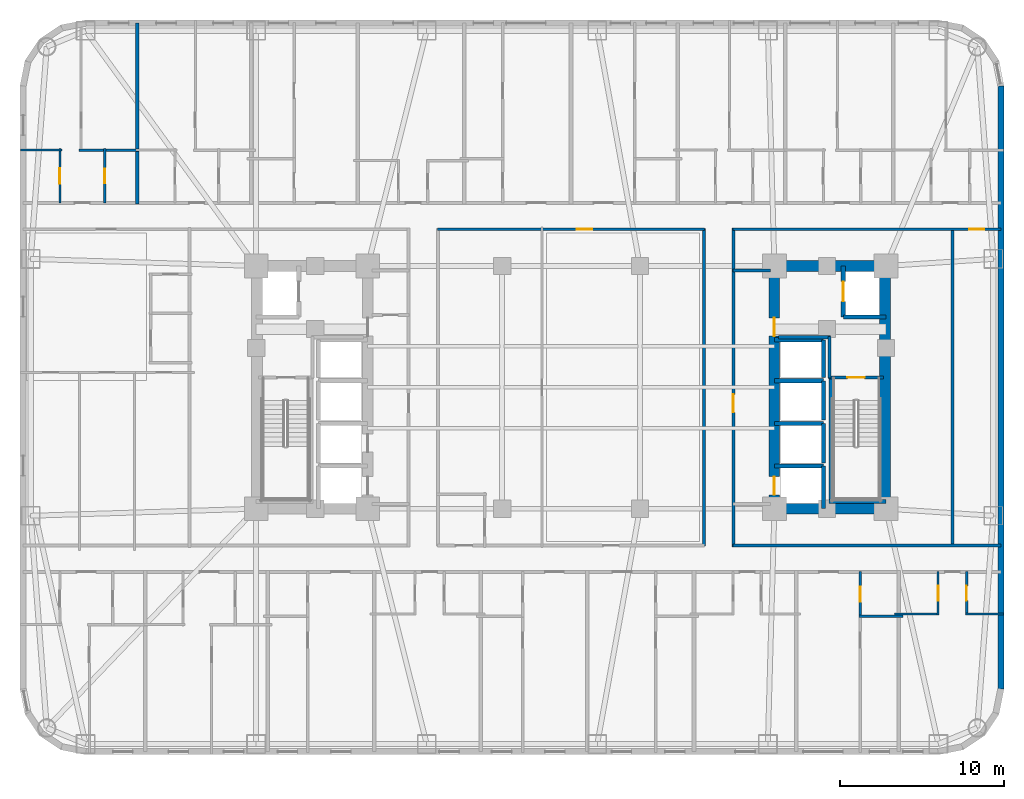
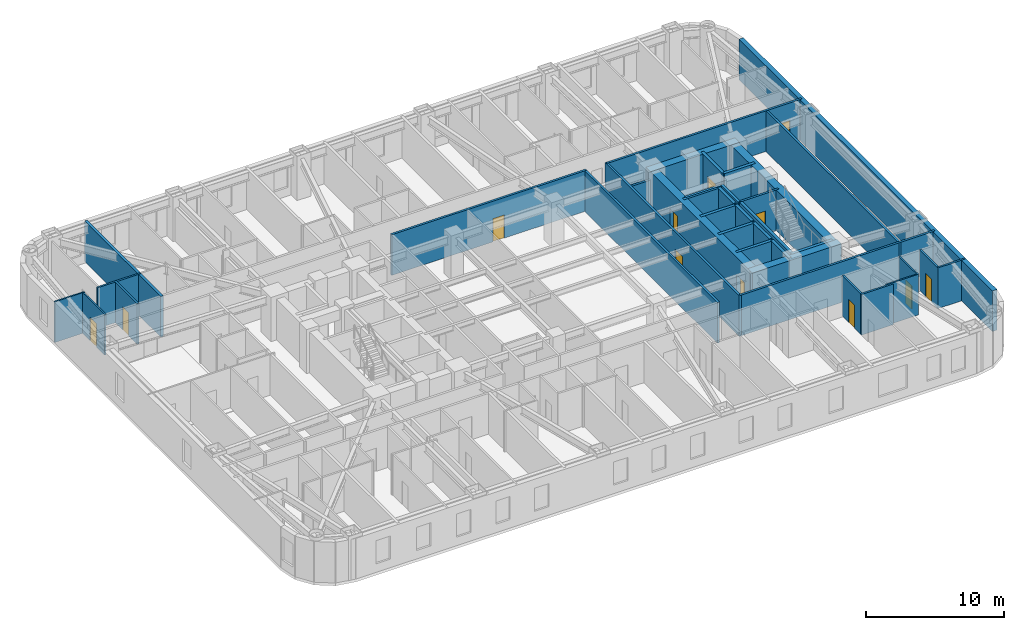
# One storey, part 6 of 11: 38 walls, 12 doors, 12 openings.
"""IFC4 building model written with IfcOpenShell, lengths in metres."""

from ifc_helpers import new_model, si_unit, direction, frame, frame_2d, origin, place, context, subcontext, project, spatial, rectangle, extrude, material, layer, layer_set, type_object, element, fill, save


model = new_model("IFC4")

# Units and contexts
model_context = context("Model", 3, precision=1e-05, world=origin(), true_north=direction((0.0, 1.0)))
body_context = subcontext(model_context, "Body", "Model", "MODEL_VIEW")
ifc_project = project(units=[si_unit("LENGTHUNIT", "METRE"), si_unit("AREAUNIT", "SQUARE_METRE"), si_unit("VOLUMEUNIT", "CUBIC_METRE"), si_unit("PLANEANGLEUNIT", "RADIAN"), si_unit("MASSUNIT", "GRAM", prefix="KILO")], contexts=[model_context])

# Site, building, storey
site_placement = place(None, origin())
site = spatial("IfcSite", under=ifc_project, at=site_placement, CompositionType="ELEMENT")
building_placement = place(site_placement, origin())
building = spatial("IfcBuilding", under=site, at=building_placement, Name="Voryun Gate Residences", CompositionType="ELEMENT")
storey_placement = place(building_placement, frame((0.0, 0.0, 76.699951171875)))
storey = spatial("IfcBuildingStorey", under=building, at=storey_placement, Name="L18", CompositionType="ELEMENT", Elevation=76.699951171875)

# Walls
ifc_material_1 = material(Name="Concrete C60/75", Category="concrete")
ifc_layer_1 = layer(ifc_material_1, 0.64990234375, Name="CW_CORE_650")
ifc_layer_set_1 = layer_set([ifc_layer_1], Name="Concrete C60/75")
wall_type_1 = type_object("IfcWallType", Name="CW_CORE_650", PredefinedType="SHEAR", material=ifc_layer_set_1)
for number, where, z_axis, x_axis, name in (
    (1, (12.074951171875, -7.39990234375, 0.0), (0.0, 0.0, 1.0), (1.0, 0.0, 0.0), "L18 Core shear wall CW-L18-ES"),
    (2, (12.074951171875, 7.39990234375, 0.0), (0.0, 0.0, 1.0), (1.0, 0.0, 0.0), "L18 Core shear wall CW-L18-EN"),
):
    element("IfcWall", number, at=place(storey_placement, frame(where, z_axis=z_axis, x_axis=x_axis)), inside=storey, type_object=wall_type_1, Name=name, PredefinedType="SHEAR", context=body_context, shape_type="SweptSolid", body=[
        extrude(rectangle(XDim=7.449951171875, YDim=0.64990234375, at=frame_2d((3.72509765625, 0.0))), origin(), (0.0, 0.0, 1.0), 3.60009765625),
    ])

# Wall, openings, doors
wall_1_placement = place(storey_placement, frame((12.39990234375, -7.39990234375, 0.0), z_axis=(0.0, 0.0, 1.0), x_axis=(0.0, 1.0, 0.0)))
wall_1 = element("IfcWall", 3, at=wall_1_placement, inside=storey, type_object=wall_type_1, Name="L18 Core shear wall CW-L18-EW", PredefinedType="SHEAR", context=body_context, shape_type="SweptSolid", body=[
    extrude(rectangle(XDim=14.7998046875, YDim=0.64990234375, at=frame_2d((7.39990234375, 0.0))), origin(), (0.0, 0.0, 1.0), 3.60009765625),
])
opening_1_placement = place(wall_1_placement, frame((0.85009765625, 0.0, 0.0)))
opening_1 = element("IfcOpeningElement", 4, at=opening_1_placement, cuts=wall_1, Name="Opening LD2", PredefinedType="OPENING", context=body_context, shape_type="SweptSolid", body=[
    extrude(rectangle(XDim=1.10009765625, YDim=2.050048828125, at=frame_2d((0.550048828125, 1.02490234375))), frame((0.0, 0.3349609375, 0.0), z_axis=(0.0, -1.0, 0.0), x_axis=(1.0, 0.0, 0.0)), (0.0, 0.0, 1.0), 0.669921875),
])
opening_2_placement = place(wall_1_placement, frame((10.530029296875, 0.0, 0.0)))
opening_2 = element("IfcOpeningElement", 5, at=opening_2_placement, cuts=wall_1, Name="Opening D-FD60-2", PredefinedType="OPENING", context=body_context, shape_type="SweptSolid", body=[
    extrude(rectangle(XDim=1.10009765625, YDim=2.050048828125, at=frame_2d((0.550048828125, 1.02490234375))), frame((0.0, 0.3349609375, 0.0), z_axis=(0.0, -1.0, 0.0), x_axis=(1.0, 0.0, 0.0)), (0.0, 0.0, 1.0), 0.669921875),
])
ifc_material_2 = material(Name="Painted steel fire door", Category="steel")
door_type_1 = type_object("IfcDoorType", Name="DR_FD60_FFLOB_1100", OperationType="NOTDEFINED", PredefinedType="DOOR", material=ifc_material_2)
door_1_placement = place(opening_2_placement, origin())
door_1 = element("IfcDoor", 6, at=door_1_placement, inside=storey, type_object=door_type_1, Name="Door DR-L18-CLOB-E", OperationType="SINGLE_SWING_RIGHT", OverallHeight=2.050048828125, OverallWidth=1.10009765625, PredefinedType="DOOR", context=body_context, shape_type="SweptSolid", body=[
    extrude(rectangle(XDim=1.10009765625, YDim=2.050048828125, at=frame_2d((0.550048828125, 1.02490234375))), frame((0.0, 0.02490234375, 0.0), z_axis=(0.0, -1.0, 0.0), x_axis=(1.0, 0.0, 0.0)), (0.0, 0.0, 1.0), 0.050048828125),
])
fill(opening_2, door_1)
ifc_material_3 = material(Name="Anodised aluminium", Category="aluminium")
door_type_2 = type_object("IfcDoorType", Name="DR_LD_PASS_1100", OperationType="NOTDEFINED", PredefinedType="DOOR", material=ifc_material_3)
door_2_placement = place(opening_1_placement, origin())
door_2 = element("IfcDoor", 7, at=door_2_placement, inside=storey, type_object=door_type_2, Name="Lift EL-P3 sliding landing door L18", OperationType="SLIDING_TO_LEFT", OverallHeight=2.050048828125, OverallWidth=1.10009765625, PredefinedType="DOOR", context=body_context, shape_type="SweptSolid", body=[
    extrude(rectangle(XDim=1.10009765625, YDim=2.050048828125, at=frame_2d((0.550048828125, 1.02490234375))), frame((0.0, 0.02490234375, 0.0), z_axis=(0.0, -1.0, 0.0), x_axis=(1.0, 0.0, 0.0)), (0.0, 0.0, 1.0), 0.050048828125),
])
fill(opening_1, door_2)

# Wall
wall_2_placement = place(storey_placement, frame((19.14501953125, -7.39990234375, 0.0), z_axis=(0.0, 0.0, 1.0), x_axis=(0.0, 1.0, 0.0)))
element("IfcWall", 8, at=wall_2_placement, inside=storey, type_object=wall_type_1, Name="L18 Core shear wall CW-L18-EE", PredefinedType="SHEAR", context=body_context, shape_type="SweptSolid", body=[
    extrude(rectangle(XDim=14.7998046875, YDim=0.64990234375, at=frame_2d((7.39990234375, 0.0))), origin(), (0.0, 0.0, 1.0), 3.60009765625),
])

# Wall, opening, door
ifc_material_4 = material(Name="Gypsum acoustic fireboard")
ifc_layer_2 = layer(ifc_material_4, 0.179931640625, Name="W_CORR_RATED_180")
ifc_layer_set_2 = layer_set([ifc_layer_2], Name="Gypsum acoustic fireboard")
wall_type_2 = type_object("IfcWallType", Name="W_CORR_RATED_180", PredefinedType="PARTITIONING", material=ifc_layer_set_2)
wall_3_placement = place(storey_placement, frame((15.699951171875, 0.60009765625, 0.0), z_axis=(0.0, 0.0, 1.0), x_axis=(1.0, 0.0, 0.0)))
wall_3 = element("IfcWall", 9, at=wall_3_placement, inside=storey, type_object=wall_type_2, Name="Partition wall WP-L18-STV-E", PredefinedType="PARTITIONING", context=body_context, shape_type="SweptSolid", body=[
    extrude(rectangle(XDim=3.360107421875, YDim=0.179931640625, at=frame_2d((1.68017578125, 0.0))), origin(), (0.0, 0.0, 1.0), 3.60009765625),
])
opening_3_placement = place(wall_3_placement, frame((1.155029296875, 0.0, 0.0)))
opening_3 = element("IfcOpeningElement", 10, at=opening_3_placement, cuts=wall_3, Name="Opening D-FD60-1", PredefinedType="OPENING", context=body_context, shape_type="SweptSolid", body=[
    extrude(rectangle(XDim=1.050048828125, YDim=2.050048828125, at=frame_2d((0.52490234375, 1.02490234375))), frame((0.0, 0.099853515625, 0.0), z_axis=(0.0, -1.0, 0.0), x_axis=(1.0, 0.0, 0.0)), (0.0, 0.0, 1.0), 0.199951171875),
])
ifc_material_5 = material(Name="Painted steel fire door", Category="steel")
door_type_3 = type_object("IfcDoorType", Name="DR_FD60_STAIR_1050", OperationType="NOTDEFINED", PredefinedType="DOOR", material=ifc_material_5)
door_3_placement = place(opening_3_placement, origin())
door_3 = element("IfcDoor", 11, at=door_3_placement, inside=storey, type_object=door_type_3, Name="Door DR-L18-ST-E", OperationType="SINGLE_SWING_RIGHT", OverallHeight=2.050048828125, OverallWidth=1.050048828125, PredefinedType="DOOR", context=body_context, shape_type="SweptSolid", body=[
    extrude(rectangle(XDim=1.050048828125, YDim=2.050048828125, at=frame_2d((0.52490234375, 1.02490234375))), frame((0.0, 0.02490234375, 0.0), z_axis=(0.0, -1.0, 0.0), x_axis=(1.0, 0.0, 0.0)), (0.0, 0.0, 1.0), 0.050048828125),
])
fill(opening_3, door_3)

# Wall
wall_4_placement = place(storey_placement, frame((9.8798828125, 7.1201171875, 0.0), z_axis=(0.0, 0.0, 1.0), x_axis=(1.0, 0.0, 0.0)))
element("IfcWall", 12, at=wall_4_placement, inside=storey, type_object=wall_type_2, Name="Partition wall WP-L18-PLBN-E", PredefinedType="PARTITIONING", context=body_context, shape_type="SweptSolid", body=[
    extrude(rectangle(XDim=2.27001953125, YDim=0.179931640625, at=frame_2d((1.135009765625, 0.0))), origin(), (0.0, 0.0, 1.0), 2.89013671875),
])

# Wall, opening, door
wall_5_placement = place(storey_placement, frame((9.89990234375, -9.72998046875, 0.0), z_axis=(0.0, 0.0, 1.0), x_axis=(0.0, 1.0, 0.0)))
wall_5 = element("IfcWall", 13, at=wall_5_placement, inside=storey, type_object=wall_type_2, Name="Partition wall WP-L18-PLBE-FULL", PredefinedType="PARTITIONING", context=body_context, shape_type="SweptSolid", body=[
    extrude(rectangle(XDim=19.4599609375, YDim=0.179931640625, at=frame_2d((9.72998046875, 0.0))), origin(), (0.0, 0.0, 1.0), 3.60009765625),
])
opening_4_placement = place(wall_5_placement, frame((8.20703125, 0.0, 0.0)))
opening_4 = element("IfcOpeningElement", 14, at=opening_4_placement, cuts=wall_5, Name="Opening D-FD60-2", PredefinedType="OPENING", context=body_context, shape_type="SweptSolid", body=[
    extrude(rectangle(XDim=1.10009765625, YDim=2.050048828125, at=frame_2d((0.550048828125, 1.02490234375))), frame((0.0, 0.099853515625, 0.0), z_axis=(0.0, -1.0, 0.0), x_axis=(1.0, 0.0, 0.0)), (0.0, 0.0, 1.0), 0.199951171875),
])
door_4_placement = place(opening_4_placement, origin())
door_4 = element("IfcDoor", 15, at=door_4_placement, inside=storey, type_object=door_type_1, Name="Door DR-L18-PLBE-COR", OperationType="SINGLE_SWING_RIGHT", OverallHeight=2.050048828125, OverallWidth=1.10009765625, PredefinedType="DOOR", context=body_context, shape_type="SweptSolid", body=[
    extrude(rectangle(XDim=1.10009765625, YDim=2.050048828125, at=frame_2d((0.550048828125, 1.02490234375))), frame((0.0, 0.02490234375, 0.0), z_axis=(0.0, -1.0, 0.0), x_axis=(1.0, 0.0, 0.0)), (0.0, 0.0, 1.0), 0.050048828125),
])
fill(opening_4, door_4)

wall_6_placement = place(storey_placement, frame((9.8798828125, 9.639892578125, 0.0), z_axis=(0.0, 0.0, 1.0), x_axis=(1.0, 0.0, 0.0)))
wall_6 = element("IfcWall", 16, at=wall_6_placement, inside=storey, type_object=wall_type_2, Name="Partition wall WP-L18-CWING-EN", PredefinedType="PARTITIONING", context=body_context, shape_type="SweptSolid", body=[
    extrude(rectangle(XDim=16.330078125, YDim=0.179931640625, at=frame_2d((8.1650390625, 0.0))), origin(), (0.0, 0.0, 1.0), 3.60009765625),
])
opening_5_placement = place(wall_6_placement, frame((14.415283203125, 0.0, 0.0)))
opening_5 = element("IfcOpeningElement", 17, at=opening_5_placement, cuts=wall_6, Name="Opening D-INT-2", PredefinedType="OPENING", context=body_context, shape_type="SweptSolid", body=[
    extrude(rectangle(XDim=0.89990234375, YDim=2.050048828125, at=frame_2d((0.449951171875, 1.02490234375))), frame((0.0, 0.099853515625, 0.0), z_axis=(0.0, -1.0, 0.0), x_axis=(1.0, 0.0, 0.0)), (0.0, 0.0, 1.0), 0.199951171875),
])
ifc_material_6 = material(Name="Architectural oak veneer")
door_type_4 = type_object("IfcDoorType", Name="DR_INT_BATH_900", OperationType="NOTDEFINED", PredefinedType="DOOR", material=ifc_material_6)
door_5_placement = place(opening_5_placement, origin())
door_5 = element("IfcDoor", 18, at=door_5_placement, inside=storey, type_object=door_type_4, Name="Door DR-L18-EE1N", OperationType="SINGLE_SWING_LEFT", OverallHeight=2.050048828125, OverallWidth=0.89990234375, PredefinedType="DOOR", context=body_context, shape_type="SweptSolid", body=[
    extrude(rectangle(XDim=0.89990234375, YDim=2.050048828125, at=frame_2d((0.449951171875, 1.02490234375))), frame((0.0, 0.02490234375, 0.0), z_axis=(0.0, -1.0, 0.0), x_axis=(1.0, 0.0, 0.0)), (0.0, 0.0, 1.0), 0.050048828125),
])
fill(opening_5, door_5)

# Wall
wall_7_placement = place(storey_placement, frame((9.8798828125, -9.639892578125, 0.0), z_axis=(0.0, 0.0, 1.0), x_axis=(1.0, 0.0, 0.0)))
element("IfcWall", 19, at=wall_7_placement, inside=storey, type_object=wall_type_2, Name="Partition wall WP-L18-CWING-ES", PredefinedType="PARTITIONING", context=body_context, shape_type="SweptSolid", body=[
    extrude(rectangle(XDim=16.330078125, YDim=0.179931640625, at=frame_2d((8.1650390625, 0.0))), origin(), (0.0, 0.0, 1.0), 3.60009765625),
])

# Wall, opening, door
wall_8_placement = place(storey_placement, frame((-8.14990234375, 9.639892578125, 0.0), z_axis=(0.0, 0.0, 1.0), x_axis=(1.0, 0.0, 0.0)))
wall_8 = element("IfcWall", 20, at=wall_8_placement, inside=storey, type_object=wall_type_2, Name="Partition wall WP-L18-Z1N", PredefinedType="PARTITIONING", context=body_context, shape_type="SweptSolid", body=[
    extrude(rectangle(XDim=16.2998046875, YDim=0.179931640625, at=frame_2d((8.14990234375, 0.0))), origin(), (0.0, 0.0, 1.0), 3.60009765625),
])
opening_6_placement = place(wall_8_placement, frame((8.489990234375, 0.0, 0.0)))
opening_6 = element("IfcOpeningElement", 21, at=opening_6_placement, cuts=wall_8, Name="Opening D-INT-1", PredefinedType="OPENING", context=body_context, shape_type="SweptSolid", body=[
    extrude(rectangle(XDim=0.949951171875, YDim=2.050048828125, at=frame_2d((0.47509765625, 1.02490234375))), frame((0.0, 0.099853515625, 0.0), z_axis=(0.0, -1.0, 0.0), x_axis=(1.0, 0.0, 0.0)), (0.0, 0.0, 1.0), 0.199951171875),
])
ifc_material_7 = material(Name="Architectural oak veneer")
door_type_5 = type_object("IfcDoorType", Name="DR_INT_ROOM_950", OperationType="NOTDEFINED", PredefinedType="DOOR", material=ifc_material_7)
door_6_placement = place(opening_6_placement, origin())
door_6 = element("IfcDoor", 22, at=door_6_placement, inside=storey, type_object=door_type_5, Name="Door DR-L18-CMIDZ1N", OperationType="SINGLE_SWING_LEFT", OverallHeight=2.050048828125, OverallWidth=0.949951171875, PredefinedType="DOOR", context=body_context, shape_type="SweptSolid", body=[
    extrude(rectangle(XDim=0.949951171875, YDim=2.050048828125, at=frame_2d((0.47509765625, 1.02490234375))), frame((0.0, 0.02490234375, 0.0), z_axis=(0.0, -1.0, 0.0), x_axis=(1.0, 0.0, 0.0)), (0.0, 0.0, 1.0), 0.050048828125),
])
fill(opening_6, door_6)

# Walls
wall_9_placement = place(storey_placement, frame((8.10009765625, -9.679931640625, 0.0), z_axis=(0.0, 0.0, 1.0), x_axis=(0.0, 1.0, 0.0)))
element("IfcWall", 23, at=wall_9_placement, inside=storey, type_object=wall_type_2, Name="Partition wall WP-L18-Z1E", PredefinedType="PARTITIONING", context=body_context, shape_type="SweptSolid", body=[
    extrude(rectangle(XDim=19.35986328125, YDim=0.179931640625, at=frame_2d((9.679931640625, 0.0))), origin(), (0.0, 0.0, 1.0), 3.60009765625),
])
wall_10_placement = place(storey_placement, frame((23.27001953125, -9.72998046875, 0.0), z_axis=(0.0, 0.0, 1.0), x_axis=(0.0, 1.0, 0.0)))
element("IfcWall", 24, at=wall_10_placement, inside=storey, type_object=wall_type_2, Name="Partition wall WP-L18-EEND", PredefinedType="PARTITIONING", context=body_context, shape_type="SweptSolid", body=[
    extrude(rectangle(XDim=19.4599609375, YDim=0.179931640625, at=frame_2d((9.72998046875, 0.0))), origin(), (0.0, 0.0, 1.0), 3.60009765625),
])
ifc_material_8 = material(Name="Granite masonry", Category="masonry")
ifc_layer_3 = layer(ifc_material_8, 0.3798828125, Name="W_EXT_GRANITE_380")
ifc_layer_set_3 = layer_set([ifc_layer_3], Name="Granite masonry")
wall_type_3 = type_object("IfcWallType", Name="W_EXT_GRANITE_380", PredefinedType="ELEMENTEDWALL", material=ifc_layer_set_3)
wall_11_placement = place(storey_placement, frame((26.2099609375, 18.38134765625, 0.0), z_axis=(0.0, 0.0, 1.0), x_axis=(0.0, -1.0, 0.0)))
element("IfcWall", 25, at=wall_11_placement, inside=storey, type_object=wall_type_3, Name="Exterior wall WEXT-L18-16", PredefinedType="ELEMENTEDWALL", context=body_context, shape_type="SweptSolid", body=[
    extrude(rectangle(XDim=36.7626953125, YDim=0.3798828125, at=frame_2d((18.38134765625, 0.0))), origin(), (0.0, 0.0, 1.0), 3.60009765625),
])
ifc_material_9 = material(Name="Concrete C40/50", Category="concrete")
ifc_layer_4 = layer(ifc_material_9, 0.199951171875, Name="W_FF_LOBBY_200")
ifc_layer_set_4 = layer_set([ifc_layer_4], Name="Concrete C40/50")
wall_type_4 = type_object("IfcWallType", Name="W_FF_LOBBY_200", PredefinedType="PARTITIONING", material=ifc_layer_set_4)
wall_12_placement = place(storey_placement, frame((15.760009765625, 0.580078125, 0.0), z_axis=(0.0, 0.0, 1.0), x_axis=(0.0, 1.0, 0.0)))
element("IfcWall", 26, at=wall_12_placement, inside=storey, type_object=wall_type_4, Name="Partition wall WP-L18-FFP0-E", PredefinedType="PARTITIONING", context=body_context, shape_type="SweptSolid", body=[
    extrude(rectangle(XDim=2.52001953125, YDim=0.199951171875, at=frame_2d((1.260009765625, 0.0))), origin(), (0.0, 0.0, 1.0), 3.60009765625),
])
wall_13_placement = place(storey_placement, frame((12.659912109375, 3.06005859375, 0.0), z_axis=(0.0, 0.0, 1.0), x_axis=(1.0, 0.0, 0.0)))
element("IfcWall", 27, at=wall_13_placement, inside=storey, type_object=wall_type_4, Name="Partition wall WP-L18-FFPS-E", PredefinedType="PARTITIONING", context=body_context, shape_type="SweptSolid", body=[
    extrude(rectangle(XDim=3.16015625, YDim=0.199951171875, at=frame_2d((1.580078125, 0.0))), origin(), (0.0, 0.0, 1.0), 3.60009765625),
])
ifc_material_10 = material(Name="Concrete C40/50", Category="concrete")
ifc_layer_5 = layer(ifc_material_10, 0.219970703125, Name="W_PARTY_ACOUSTIC_220")
ifc_layer_set_5 = layer_set([ifc_layer_5], Name="Concrete C40/50")
wall_type_5 = type_object("IfcWallType", Name="W_PARTY_ACOUSTIC_220", PredefinedType="PARTITIONING", material=ifc_layer_set_5)
wall_14_placement = place(storey_placement, frame((-26.458984375, 11.169921875, 0.0), z_axis=(0.0, 0.0, 1.0), x_axis=(0.0, 1.0, 0.0)))
element("IfcWall", 28, at=wall_14_placement, inside=storey, type_object=wall_type_5, Name="Partition wall WP-L18-NPTY-1", PredefinedType="PARTITIONING", context=body_context, shape_type="SweptSolid", body=[
    extrude(rectangle(XDim=11.0400390625, YDim=0.219970703125, at=frame_2d((5.52001953125, 0.0))), origin(), (0.0, 0.0, 1.0), 3.60009765625),
])
ifc_material_11 = material(Name="Concrete C50/60", Category="concrete")
ifc_layer_6 = layer(ifc_material_11, 0.25, Name="W_SHAFT_RC250")
ifc_layer_set_6 = layer_set([ifc_layer_6], Name="Concrete C50/60")
wall_type_6 = type_object("IfcWallType", Name="W_SHAFT_RC250", PredefinedType="SOLIDWALL", material=ifc_layer_set_6)
wall_15_placement = place(storey_placement, frame((15.860107421875, -7.0849609375, 0.0), z_axis=(0.0, 0.0, 1.0), x_axis=(0.0, 1.0, 0.0)))
element("IfcWall", 29, at=wall_15_placement, inside=storey, type_object=wall_type_6, Name="L18 Stair shaft structural wall E-STL", PredefinedType="SOLIDWALL", context=body_context, shape_type="SweptSolid", body=[
    extrude(rectangle(XDim=7.68505859375, YDim=0.25, at=frame_2d((3.842529296875, 0.0))), origin(), (0.0, 0.0, 1.0), 3.60009765625),
])
wall_16_placement = place(storey_placement, frame((15.739990234375, -6.965087890625, 0.0), z_axis=(0.0, 0.0, 1.0), x_axis=(1.0, 0.0, 0.0)))
element("IfcWall", 30, at=wall_16_placement, inside=storey, type_object=wall_type_6, Name="L18 Stair shaft structural wall E-STS", PredefinedType="SOLIDWALL", context=body_context, shape_type="SweptSolid", body=[
    extrude(rectangle(XDim=3.4599609375, YDim=0.25, at=frame_2d((1.72998046875, 0.0))), origin(), (0.0, 0.0, 1.0), 3.60009765625),
])
wall_17_placement = place(storey_placement, frame((16.60009765625, 4.300048828125, 0.0), z_axis=(0.0, 0.0, 1.0), x_axis=(1.0, 0.0, 0.0)))
element("IfcWall", 31, at=wall_17_placement, inside=storey, type_object=wall_type_6, Name="Lift shaft wall WSH-L18-EL-FF-E1-S", PredefinedType="SOLIDWALL", context=body_context, shape_type="SweptSolid", body=[
    extrude(rectangle(XDim=2.599853515625, YDim=0.25, at=frame_2d((1.2998046875, 0.0))), origin(), (0.0, 0.0, 1.0), 3.60009765625),
])

# Wall, opening, door
wall_18_placement = place(storey_placement, frame((16.60009765625, 7.39990234375, 0.0), z_axis=(0.0, 0.0, 1.0), x_axis=(0.0, -1.0, 0.0)))
wall_18 = element("IfcWall", 32, at=wall_18_placement, inside=storey, type_object=wall_type_6, Name="Lift shaft wall WSH-L18-EL-FF-E1-W", PredefinedType="SOLIDWALL", context=body_context, shape_type="SweptSolid", body=[
    extrude(rectangle(XDim=3.099853515625, YDim=0.25, at=frame_2d((1.5498046875, 0.0))), origin(), (0.0, 0.0, 1.0), 3.60009765625),
])
opening_7_placement = place(wall_18_placement, frame((0.949951171875, 0.0, 0.0)))
opening_7 = element("IfcOpeningElement", 33, at=opening_7_placement, cuts=wall_18, Name="Opening LD1", PredefinedType="OPENING", context=body_context, shape_type="SweptSolid", body=[
    extrude(rectangle(XDim=1.199951171875, YDim=2.050048828125, at=frame_2d((0.60009765625, 1.02490234375))), frame((0.0, 0.135009765625, 0.0), z_axis=(0.0, -1.0, 0.0), x_axis=(1.0, 0.0, 0.0)), (0.0, 0.0, 1.0), 0.27001953125),
])
ifc_material_12 = material(Name="Anodised aluminium", Category="aluminium")
door_type_6 = type_object("IfcDoorType", Name="DR_LD_FF_1200", OperationType="NOTDEFINED", PredefinedType="DOOR", material=ifc_material_12)
door_7_placement = place(opening_7_placement, origin())
door_7 = element("IfcDoor", 34, at=door_7_placement, inside=storey, type_object=door_type_6, Name="Lift EL-FF-E1 sliding landing door L18", OperationType="SLIDING_TO_LEFT", OverallHeight=2.050048828125, OverallWidth=1.199951171875, PredefinedType="DOOR", context=body_context, shape_type="SweptSolid", body=[
    extrude(rectangle(XDim=1.199951171875, YDim=2.050048828125, at=frame_2d((0.60009765625, 1.02490234375))), frame((0.0, 0.02490234375, 0.0), z_axis=(0.0, -1.0, 0.0), x_axis=(1.0, 0.0, 0.0)), (0.0, 0.0, 1.0), 0.050048828125),
])
fill(opening_7, door_7)

# Walls
wall_19_placement = place(storey_placement, frame((15.39990234375, -7.39990234375, 0.0), z_axis=(0.0, 0.0, 1.0), x_axis=(0.0, 1.0, 0.0)))
element("IfcWall", 35, at=wall_19_placement, inside=storey, type_object=wall_type_6, Name="Lift shaft wall WSH-L18-EL-P3-E", PredefinedType="SOLIDWALL", context=body_context, shape_type="SweptSolid", body=[
    extrude(rectangle(XDim=2.599853515625, YDim=0.25, at=frame_2d((1.2998046875, 0.0))), origin(), (0.0, 0.0, 1.0), 3.60009765625),
])
wall_20_placement = place(storey_placement, frame((15.39990234375, -4.800048828125, 0.0), z_axis=(0.0, 0.0, 1.0), x_axis=(-1.0, 0.0, 0.0)))
element("IfcWall", 36, at=wall_20_placement, inside=storey, type_object=wall_type_6, Name="Lift shaft wall WSH-L18-EL-P3-N", PredefinedType="SOLIDWALL", context=body_context, shape_type="SweptSolid", body=[
    extrude(rectangle(XDim=3.0, YDim=0.25, at=frame_2d((1.5, 0.0))), origin(), (0.0, 0.0, 1.0), 3.60009765625),
])
wall_21_placement = place(storey_placement, frame((15.39990234375, -4.60009765625, 0.0), z_axis=(0.0, 0.0, 1.0), x_axis=(0.0, 1.0, 0.0)))
element("IfcWall", 37, at=wall_21_placement, inside=storey, type_object=wall_type_6, Name="Lift shaft wall WSH-L18-EL-P5-E", PredefinedType="SOLIDWALL", context=body_context, shape_type="SweptSolid", body=[
    extrude(rectangle(XDim=2.400146484375, YDim=0.25, at=frame_2d((1.2001953125, 0.0))), origin(), (0.0, 0.0, 1.0), 3.60009765625),
])
wall_22_placement = place(storey_placement, frame((15.39990234375, -2.199951171875, 0.0), z_axis=(0.0, 0.0, 1.0), x_axis=(-1.0, 0.0, 0.0)))
element("IfcWall", 38, at=wall_22_placement, inside=storey, type_object=wall_type_6, Name="Lift shaft wall WSH-L18-EL-P5-N", PredefinedType="SOLIDWALL", context=body_context, shape_type="SweptSolid", body=[
    extrude(rectangle(XDim=3.0, YDim=0.25, at=frame_2d((1.5, 0.0))), origin(), (0.0, 0.0, 1.0), 3.60009765625),
])
wall_23_placement = place(storey_placement, frame((15.39990234375, -2.0, 0.0), z_axis=(0.0, 0.0, 1.0), x_axis=(0.0, 1.0, 0.0)))
element("IfcWall", 39, at=wall_23_placement, inside=storey, type_object=wall_type_6, Name="Lift shaft wall WSH-L18-EL-P6-E", PredefinedType="SOLIDWALL", context=body_context, shape_type="SweptSolid", body=[
    extrude(rectangle(XDim=2.39990234375, YDim=0.25, at=frame_2d((1.199951171875, 0.0))), origin(), (0.0, 0.0, 1.0), 3.60009765625),
])
wall_24_placement = place(storey_placement, frame((15.39990234375, 0.39990234375, 0.0), z_axis=(0.0, 0.0, 1.0), x_axis=(-1.0, 0.0, 0.0)))
element("IfcWall", 40, at=wall_24_placement, inside=storey, type_object=wall_type_6, Name="Lift shaft wall WSH-L18-EL-P6-N", PredefinedType="SOLIDWALL", context=body_context, shape_type="SweptSolid", body=[
    extrude(rectangle(XDim=3.0, YDim=0.25, at=frame_2d((1.5, 0.0))), origin(), (0.0, 0.0, 1.0), 3.60009765625),
])
wall_25_placement = place(storey_placement, frame((15.39990234375, 0.60009765625, 0.0), z_axis=(0.0, 0.0, 1.0), x_axis=(0.0, 1.0, 0.0)))
element("IfcWall", 41, at=wall_25_placement, inside=storey, type_object=wall_type_6, Name="Lift shaft wall WSH-L18-EL-P8-E", PredefinedType="SOLIDWALL", context=body_context, shape_type="SweptSolid", body=[
    extrude(rectangle(XDim=2.2998046875, YDim=0.25, at=frame_2d((1.14990234375, 0.0))), origin(), (0.0, 0.0, 1.0), 3.60009765625),
])
wall_26_placement = place(storey_placement, frame((15.39990234375, 2.89990234375, 0.0), z_axis=(0.0, 0.0, 1.0), x_axis=(-1.0, 0.0, 0.0)))
element("IfcWall", 42, at=wall_26_placement, inside=storey, type_object=wall_type_6, Name="Lift shaft wall WSH-L18-EL-P8-N", PredefinedType="SOLIDWALL", context=body_context, shape_type="SweptSolid", body=[
    extrude(rectangle(XDim=3.0, YDim=0.25, at=frame_2d((1.5, 0.0))), origin(), (0.0, 0.0, 1.0), 3.60009765625),
])

# Wall, opening, door
ifc_material_13 = material(Name="Gypsum acoustic partition")
ifc_layer_7 = layer(ifc_material_13, 0.125, Name="W_UNIT_PART_125")
ifc_layer_set_7 = layer_set([ifc_layer_7], Name="Gypsum acoustic partition")
wall_type_7 = type_object("IfcWallType", Name="W_UNIT_PART_125", PredefinedType="PARTITIONING", material=ifc_layer_set_7)
wall_27_placement = place(storey_placement, frame((-31.16796875, 11.22998046875, 0.0), z_axis=(0.0, 0.0, 1.0), x_axis=(0.0, 1.0, 0.0)))
wall_27 = element("IfcWall", 43, at=wall_27_placement, inside=storey, type_object=wall_type_7, Name="Partition wall WP-L18-N1-IVK", PredefinedType="PARTITIONING", context=body_context, shape_type="SweptSolid", body=[
    extrude(rectangle(XDim=3.320068359375, YDim=0.125, at=frame_2d((1.66015625, 0.0))), origin(), (0.0, 0.0, 1.0), 3.60009765625),
])
opening_8_placement = place(wall_27_placement, frame((1.18505859375, 0.0, 0.0)))
opening_8 = element("IfcOpeningElement", 44, at=opening_8_placement, cuts=wall_27, Name="Opening D-INT-1", PredefinedType="OPENING", context=body_context, shape_type="SweptSolid", body=[
    extrude(rectangle(XDim=0.949951171875, YDim=2.050048828125, at=frame_2d((0.47509765625, 1.02490234375))), frame((0.0, 0.072509765625, 0.0), z_axis=(0.0, -1.0, 0.0), x_axis=(1.0, 0.0, 0.0)), (0.0, 0.0, 1.0), 0.14501953125),
])
door_8_placement = place(opening_8_placement, origin())
door_8 = element("IfcDoor", 45, at=door_8_placement, inside=storey, type_object=door_type_5, Name="Door DR-L18-N1-DK", OperationType="SINGLE_SWING_LEFT", OverallHeight=2.050048828125, OverallWidth=0.949951171875, PredefinedType="DOOR", context=body_context, shape_type="SweptSolid", body=[
    extrude(rectangle(XDim=0.949951171875, YDim=2.050048828125, at=frame_2d((0.47509765625, 1.02490234375))), frame((0.0, 0.02490234375, 0.0), z_axis=(0.0, -1.0, 0.0), x_axis=(1.0, 0.0, 0.0)), (0.0, 0.0, 1.0), 0.050048828125),
])
fill(opening_8, door_8)

# Wall
wall_28_placement = place(storey_placement, frame((-33.56005859375, 14.469970703125, 0.0), z_axis=(0.0, 0.0, 1.0), x_axis=(1.0, 0.0, 0.0)))
element("IfcWall", 46, at=wall_28_placement, inside=storey, type_object=wall_type_7, Name="Partition wall WP-L18-N1-HZK", PredefinedType="PARTITIONING", context=body_context, shape_type="SweptSolid", body=[
    extrude(rectangle(XDim=2.511962890625, YDim=0.125, at=frame_2d((1.255859375, 0.0))), origin(), (0.0, 0.0, 1.0), 3.60009765625),
])

# Wall, opening, door
wall_29_placement = place(storey_placement, frame((22.385986328125, -13.8798828125, 0.0), z_axis=(0.0, 0.0, 1.0), x_axis=(0.0, 1.0, 0.0)))
wall_29 = element("IfcWall", 47, at=wall_29_placement, inside=storey, type_object=wall_type_7, Name="Partition wall WP-L18-S9-CVK", PredefinedType="PARTITIONING", context=body_context, shape_type="SweptSolid", body=[
    extrude(rectangle(XDim=2.64990234375, YDim=0.125, at=frame_2d((1.324951171875, 0.0))), origin(), (0.0, 0.0, 1.0), 3.60009765625),
])
opening_9_placement = place(wall_29_placement, frame((0.875, 0.0, 0.0)))
opening_9 = element("IfcOpeningElement", 48, at=opening_9_placement, cuts=wall_29, Name="Opening D-INT-2", PredefinedType="OPENING", context=body_context, shape_type="SweptSolid", body=[
    extrude(rectangle(XDim=0.89990234375, YDim=2.050048828125, at=frame_2d((0.449951171875, 1.02490234375))), frame((0.0, 0.072509765625, 0.0), z_axis=(0.0, -1.0, 0.0), x_axis=(1.0, 0.0, 0.0)), (0.0, 0.0, 1.0), 0.14501953125),
])
door_9_placement = place(opening_9_placement, origin())
door_9 = element("IfcDoor", 49, at=door_9_placement, inside=storey, type_object=door_type_4, Name="Door DR-L18-S9-DK", OperationType="SINGLE_SWING_LEFT", OverallHeight=2.050048828125, OverallWidth=0.89990234375, PredefinedType="DOOR", context=body_context, shape_type="SweptSolid", body=[
    extrude(rectangle(XDim=0.89990234375, YDim=2.050048828125, at=frame_2d((0.449951171875, 1.02490234375))), frame((0.0, 0.02490234375, 0.0), z_axis=(0.0, -1.0, 0.0), x_axis=(1.0, 0.0, 0.0)), (0.0, 0.0, 1.0), 0.050048828125),
])
fill(opening_9, door_9)

# Walls
wall_30_placement = place(storey_placement, frame((19.718017578125, -13.820068359375, 0.0), z_axis=(0.0, 0.0, 1.0), x_axis=(1.0, 0.0, 0.0)))
element("IfcWall", 50, at=wall_30_placement, inside=storey, type_object=wall_type_7, Name="Partition wall WP-L18-S9-CHK", PredefinedType="PARTITIONING", context=body_context, shape_type="SweptSolid", body=[
    extrude(rectangle(XDim=2.72802734375, YDim=0.125, at=frame_2d((1.364013671875, 0.0))), origin(), (0.0, 0.0, 1.0), 3.60009765625),
])
ifc_material_14 = material(Name="Gypsum moisture-resistant partition")
ifc_layer_8 = layer(ifc_material_14, 0.14990234375, Name="W_WET_PLUMB_150")
ifc_layer_set_8 = layer_set([ifc_layer_8], Name="Gypsum moisture-resistant partition")
wall_type_8 = type_object("IfcWallType", Name="W_WET_PLUMB_150", PredefinedType="PLUMBINGWALL", material=ifc_layer_set_8)
wall_31_placement = place(storey_placement, frame((-29.989013671875, 14.469970703125, 0.0), z_axis=(0.0, 0.0, 1.0), x_axis=(1.0, 0.0, 0.0)))
element("IfcWall", 51, at=wall_31_placement, inside=storey, type_object=wall_type_8, Name="Partition wall WP-L18-N1-HZB", PredefinedType="PLUMBINGWALL", context=body_context, shape_type="SweptSolid", body=[
    extrude(rectangle(XDim=3.60498046875, YDim=0.14990234375, at=frame_2d((1.802490234375, 0.0))), origin(), (0.0, 0.0, 1.0), 3.60009765625),
])

# Wall, opening, door
wall_32_placement = place(storey_placement, frame((-28.43896484375, 11.22998046875, 0.0), z_axis=(0.0, 0.0, 1.0), x_axis=(0.0, 1.0, 0.0)))
wall_32 = element("IfcWall", 52, at=wall_32_placement, inside=storey, type_object=wall_type_8, Name="Partition wall WP-L18-N1-IVB", PredefinedType="PLUMBINGWALL", context=body_context, shape_type="SweptSolid", body=[
    extrude(rectangle(XDim=3.320068359375, YDim=0.14990234375, at=frame_2d((1.66015625, 0.0))), origin(), (0.0, 0.0, 1.0), 3.60009765625),
])
opening_10_placement = place(wall_32_placement, frame((1.2099609375, 0.0, 0.0)))
opening_10 = element("IfcOpeningElement", 53, at=opening_10_placement, cuts=wall_32, Name="Opening D-INT-2", PredefinedType="OPENING", context=body_context, shape_type="SweptSolid", body=[
    extrude(rectangle(XDim=0.89990234375, YDim=2.050048828125, at=frame_2d((0.449951171875, 1.02490234375))), frame((0.0, 0.0849609375, 0.0), z_axis=(0.0, -1.0, 0.0), x_axis=(1.0, 0.0, 0.0)), (0.0, 0.0, 1.0), 0.169921875),
])
door_10_placement = place(opening_10_placement, origin())
door_10 = element("IfcDoor", 54, at=door_10_placement, inside=storey, type_object=door_type_4, Name="Door DR-L18-N1-DB", OperationType="SINGLE_SWING_RIGHT", OverallHeight=2.050048828125, OverallWidth=0.89990234375, PredefinedType="DOOR", context=body_context, shape_type="SweptSolid", body=[
    extrude(rectangle(XDim=0.89990234375, YDim=2.050048828125, at=frame_2d((0.449951171875, 1.02490234375))), frame((0.0, 0.02490234375, 0.0), z_axis=(0.0, -1.0, 0.0), x_axis=(1.0, 0.0, 0.0)), (0.0, 0.0, 1.0), 0.050048828125),
])
fill(opening_10, door_10)

# Wall
wall_33_placement = place(storey_placement, frame((17.555908203125, -13.949951171875, 0.0), z_axis=(0.0, 0.0, 1.0), x_axis=(1.0, 0.0, 0.0)))
element("IfcWall", 55, at=wall_33_placement, inside=storey, type_object=wall_type_8, Name="Partition wall WP-L18-S8-SKB", PredefinedType="PLUMBINGWALL", context=body_context, shape_type="SweptSolid", body=[
    extrude(rectangle(XDim=2.68212890625, YDim=0.14990234375, at=frame_2d((1.341064453125, 0.0))), origin(), (0.0, 0.0, 1.0), 3.60009765625),
])

# Wall, opening, door
wall_34_placement = place(storey_placement, frame((17.635986328125, -13.989990234375, 0.0), z_axis=(0.0, 0.0, 1.0), x_axis=(0.0, 1.0, 0.0)))
wall_34 = element("IfcWall", 56, at=wall_34_placement, inside=storey, type_object=wall_type_8, Name="Partition wall WP-L18-S8-SVT2", PredefinedType="PLUMBINGWALL", context=body_context, shape_type="SweptSolid", body=[
    extrude(rectangle(XDim=2.760009765625, YDim=0.14990234375, at=frame_2d((1.3798828125, 0.0))), origin(), (0.0, 0.0, 1.0), 3.60009765625),
])
opening_11_placement = place(wall_34_placement, frame((0.929931640625, 0.0, 0.0)))
opening_11 = element("IfcOpeningElement", 57, at=opening_11_placement, cuts=wall_34, Name="Opening D-INT-2", PredefinedType="OPENING", context=body_context, shape_type="SweptSolid", body=[
    extrude(rectangle(XDim=0.89990234375, YDim=2.050048828125, at=frame_2d((0.449951171875, 1.02490234375))), frame((0.0, 0.0849609375, 0.0), z_axis=(0.0, -1.0, 0.0), x_axis=(1.0, 0.0, 0.0)), (0.0, 0.0, 1.0), 0.169921875),
])
door_11_placement = place(opening_11_placement, origin())
door_11 = element("IfcDoor", 58, at=door_11_placement, inside=storey, type_object=door_type_4, Name="Door DR-L18-S8-DB", OperationType="SINGLE_SWING_RIGHT", OverallHeight=2.050048828125, OverallWidth=0.89990234375, PredefinedType="DOOR", context=body_context, shape_type="SweptSolid", body=[
    extrude(rectangle(XDim=0.89990234375, YDim=2.050048828125, at=frame_2d((0.449951171875, 1.02490234375))), frame((0.0, 0.02490234375, 0.0), z_axis=(0.0, -1.0, 0.0), x_axis=(1.0, 0.0, 0.0)), (0.0, 0.0, 1.0), 0.050048828125),
])
fill(opening_11, door_11)

wall_35_placement = place(storey_placement, frame((24.116943359375, -13.8798828125, 0.0), z_axis=(0.0, 0.0, 1.0), x_axis=(0.0, 1.0, 0.0)))
wall_35 = element("IfcWall", 59, at=wall_35_placement, inside=storey, type_object=wall_type_8, Name="Partition wall WP-L18-S9-CVB", PredefinedType="PLUMBINGWALL", context=body_context, shape_type="SweptSolid", body=[
    extrude(rectangle(XDim=2.64990234375, YDim=0.14990234375, at=frame_2d((1.324951171875, 0.0))), origin(), (0.0, 0.0, 1.0), 3.60009765625),
])
opening_12_placement = place(wall_35_placement, frame((0.875, 0.0, 0.0)))
opening_12 = element("IfcOpeningElement", 60, at=opening_12_placement, cuts=wall_35, Name="Opening D-INT-2", PredefinedType="OPENING", context=body_context, shape_type="SweptSolid", body=[
    extrude(rectangle(XDim=0.89990234375, YDim=2.050048828125, at=frame_2d((0.449951171875, 1.02490234375))), frame((0.0, 0.0849609375, 0.0), z_axis=(0.0, -1.0, 0.0), x_axis=(1.0, 0.0, 0.0)), (0.0, 0.0, 1.0), 0.169921875),
])
door_12_placement = place(opening_12_placement, origin())
door_12 = element("IfcDoor", 61, at=door_12_placement, inside=storey, type_object=door_type_4, Name="Door DR-L18-S9-DB", OperationType="SINGLE_SWING_RIGHT", OverallHeight=2.050048828125, OverallWidth=0.89990234375, PredefinedType="DOOR", context=body_context, shape_type="SweptSolid", body=[
    extrude(rectangle(XDim=0.89990234375, YDim=2.050048828125, at=frame_2d((0.449951171875, 1.02490234375))), frame((0.0, 0.02490234375, 0.0), z_axis=(0.0, -1.0, 0.0), x_axis=(1.0, 0.0, 0.0)), (0.0, 0.0, 1.0), 0.050048828125),
])
fill(opening_12, door_12)

# Wall
wall_36_placement = place(storey_placement, frame((24.056884765625, -13.820068359375, 0.0), z_axis=(0.0, 0.0, 1.0), x_axis=(1.0, 0.0, 0.0)))
element("IfcWall", 62, at=wall_36_placement, inside=storey, type_object=wall_type_8, Name="Partition wall WP-L18-S9-CHB", PredefinedType="PLUMBINGWALL", context=body_context, shape_type="SweptSolid", body=[
    extrude(rectangle(XDim=2.30322265625, YDim=0.14990234375, at=frame_2d((1.151611328125, 0.0))), origin(), (0.0, 0.0, 1.0), 3.60009765625),
])

save(model, "model.ifc")
